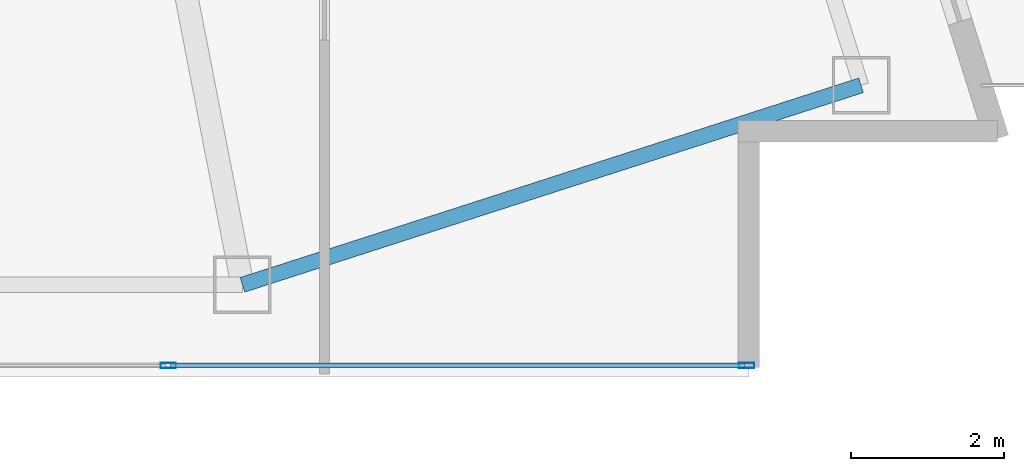
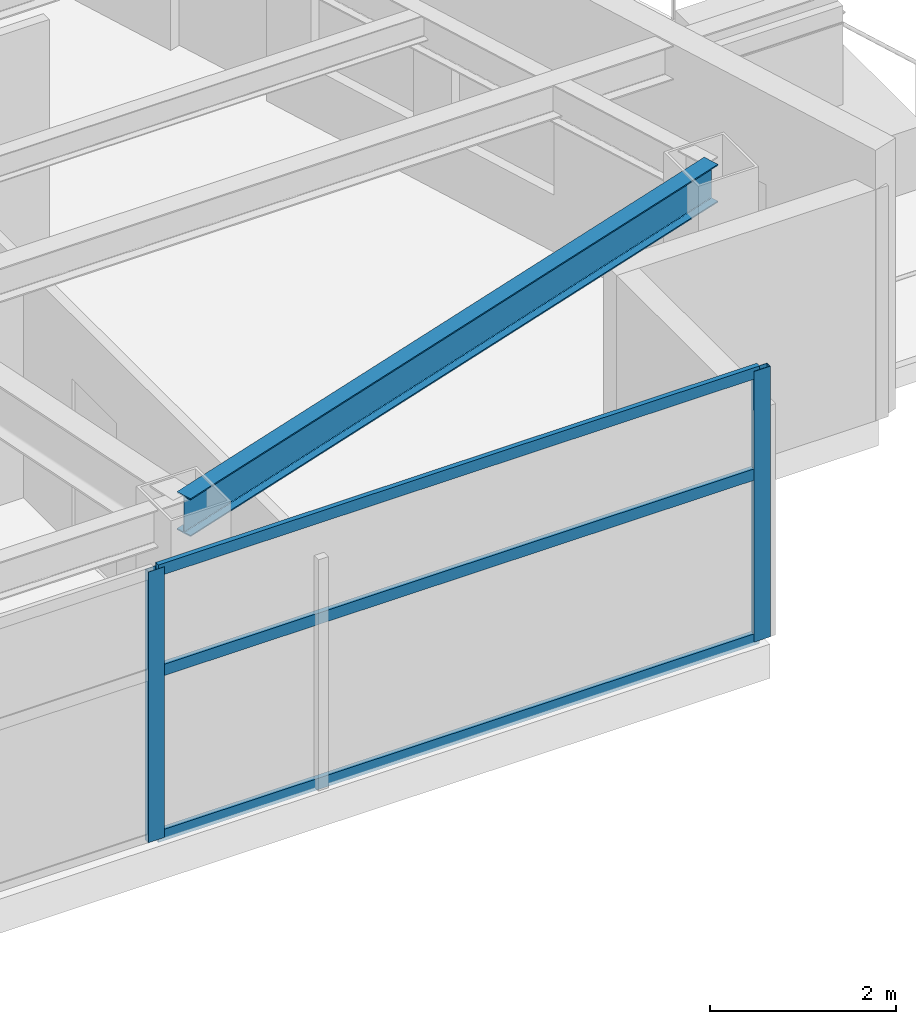
# One storey, part 14 of 28: 5 members, 1 beam, 1 element without a shape of its own.
"""IFC4 building model written with IfcOpenShell, lengths in metres."""

from ifc_helpers import new_model, si_unit, direction, frame, origin, origin_2d, place, context, subcontext, project, spatial, hollow_rectangle, i_section, extrude, material, layer, layer_set, material_profile, profile_set, type_object, element, aggregate, save


model = new_model("IFC4")

# Units and contexts
model_context = context("Model", 3, precision=1e-05, world=origin(), true_north=direction((0.0, 1.0)))
body_context = subcontext(model_context, "Body", "Model", "MODEL_VIEW")
ifc_project = project(units=[si_unit("LENGTHUNIT", "METRE"), si_unit("AREAUNIT", "SQUARE_METRE"), si_unit("VOLUMEUNIT", "CUBIC_METRE"), si_unit("PLANEANGLEUNIT", "RADIAN"), si_unit("MASSUNIT", "GRAM", prefix="KILO")], contexts=[model_context])

# Site, building, storey
site_placement = place(None, origin())
site = spatial("IfcSite", under=ifc_project, at=site_placement, CompositionType="ELEMENT")
building_placement = place(site_placement, origin())
building = spatial("IfcBuilding", under=site, at=building_placement, Name="Calvorn Quay Hotel", CompositionType="ELEMENT")
storey_placement = place(building_placement, frame((0.0, 0.0, 97.39990234375)))
storey = spatial("IfcBuildingStorey", under=building, at=storey_placement, Name="L23", CompositionType="ELEMENT", Elevation=97.39990234375)

# Beam
ifc_material_1 = material(Name="Steel Q355B", Category="steel")
ifc_material_profile_1 = material_profile(ifc_material_1, i_section(OverallWidth=0.199951171875, OverallDepth=0.5, WebThickness=0.010009765625, FlangeThickness=0.01611328125, FilletRadius=0.01611328125, at=origin_2d()), Name="HN500x200x10x16")
ifc_profile_set_1 = profile_set([ifc_material_profile_1], Name="Steel Q355B")
beam_type = type_object("IfcBeamType", Name="BM-SPANDREL-Z1", PredefinedType="SPANDREL", material=ifc_profile_set_1)
beam_placement = place(storey_placement, frame((49.39990234375, 3.60009765625, 3.2900390625), z_axis=(0.951725188386, 0.306951406237, 0.0), x_axis=(-0.306951406237, 0.951725188386, 0.0)))
element("IfcBeam", 1, at=beam_placement, inside=storey, type_object=beam_type, Name="Beam BSP-L23-S6", PredefinedType="SPANDREL", context=body_context, shape_type="SweptSolid", body=[
    extrude(i_section(OverallWidth=0.199951171875, OverallDepth=0.5, WebThickness=0.010009765625, FlangeThickness=0.01611328125, FilletRadius=0.01611328125, at=origin_2d()), origin(), (0.0, 0.0, 1.0), 8.469970703125),
])

# Curtain wall, members
ifc_material_2 = material(Name="Pale Anodised Aluminium and Low-E Glass", Category="aluminium")
ifc_layer = layer(ifc_material_2, 0.219970703125)
ifc_layer_set = layer_set([ifc_layer], Name="CW-SYS-Z2")
curtain_wall_type = type_object("IfcCurtainWallType", Name="CW-SYS-Z2", PredefinedType="NOTDEFINED", material=ifc_layer_set)
curtain_wall_placement = place(storey_placement, origin())
curtain_wall = element("IfcCurtainWall", 2, at=curtain_wall_placement, inside=storey, type_object=curtain_wall_type, Name="Tower South Waterfront Curtain Wall (L23)", PredefinedType="NOTDEFINED")
ifc_material_3 = material(Name="Pale Anodised Aluminium 6063-T6", Category="aluminium")
ifc_material_profile_2 = material_profile(ifc_material_3, hollow_rectangle(XDim=0.070068359375, YDim=0.199951171875, WallThickness=0.00390625, at=origin_2d()), Name="ALU-M200x70x4")
ifc_profile_set_2 = profile_set([ifc_material_profile_2], Name="Pale Anodised Aluminium 6063-T6")
member_type_1 = type_object("IfcMemberType", Name="CW-SYS-Z2-MUL", PredefinedType="MULLION", material=ifc_profile_set_2)
member_1_placement = place(storey_placement, frame((48.433349609375, 2.550048828125, 0.0), z_axis=(0.0, 0.0, 1.0), x_axis=(0.0, 1.0, 0.0)))
member_1 = element("IfcMember", 3, at=member_1_placement, type_object=member_type_1, Name="CW-L23-S mullion 6", PredefinedType="MULLION", context=body_context, shape_type="SweptSolid", body=[
    extrude(hollow_rectangle(XDim=0.070068359375, YDim=0.199951171875, WallThickness=0.00390625, at=origin_2d()), origin(), (0.0, 0.0, 1.0), 3.56005859375),
])
member_2_placement = place(storey_placement, frame((55.969970703125, 2.550048828125, 0.0), z_axis=(0.0, 0.0, 1.0), x_axis=(0.0, 1.0, 0.0)))
member_2 = element("IfcMember", 4, at=member_2_placement, type_object=member_type_1, Name="CW-L23-S mullion 7", PredefinedType="MULLION", context=body_context, shape_type="SweptSolid", body=[
    extrude(hollow_rectangle(XDim=0.070068359375, YDim=0.199951171875, WallThickness=0.00390625, at=origin_2d()), origin(), (0.0, 0.0, 1.0), 3.56005859375),
])
ifc_material_4 = material(Name="Pale Anodised Aluminium 6063-T6", Category="aluminium")
ifc_material_profile_3 = material_profile(ifc_material_4, hollow_rectangle(XDim=0.06005859375, YDim=0.14990234375, WallThickness=0.00341796875, at=origin_2d()), Name="ALU-T150x60x3.5")
ifc_profile_set_3 = profile_set([ifc_material_profile_3], Name="Pale Anodised Aluminium 6063-T6")
member_type_2 = type_object("IfcMemberType", Name="CW-SYS-Z2-TRN", PredefinedType="USERDEFINED", material=ifc_profile_set_3)
member_3_placement = place(storey_placement, frame((48.46337890625, 2.550048828125, 0.030029296875), z_axis=(1.0, 0.0, 0.0), x_axis=(0.0, 1.0, 0.0)))
member_3 = element("IfcMember", 5, at=member_3_placement, type_object=member_type_2, Name="CW-L23-S transom 6.1", ObjectType="TRANSOM", PredefinedType="USERDEFINED", context=body_context, shape_type="SweptSolid", body=[
    extrude(hollow_rectangle(XDim=0.06005859375, YDim=0.14990234375, WallThickness=0.00341796875, at=origin_2d()), origin(), (0.0, 0.0, 1.0), 7.4765625),
])
member_4_placement = place(storey_placement, frame((48.46337890625, 2.550048828125, 2.2001953125), z_axis=(1.0, 0.0, 0.0), x_axis=(0.0, 1.0, 0.0)))
member_4 = element("IfcMember", 6, at=member_4_placement, type_object=member_type_2, Name="CW-L23-S transom 6.2", ObjectType="TRANSOM", PredefinedType="USERDEFINED", context=body_context, shape_type="SweptSolid", body=[
    extrude(hollow_rectangle(XDim=0.06005859375, YDim=0.14990234375, WallThickness=0.00341796875, at=origin_2d()), origin(), (0.0, 0.0, 1.0), 7.4765625),
])
member_5_placement = place(storey_placement, frame((48.46337890625, 2.550048828125, 3.530029296875), z_axis=(1.0, 0.0, 0.0), x_axis=(0.0, 1.0, 0.0)))
member_5 = element("IfcMember", 7, at=member_5_placement, type_object=member_type_2, Name="CW-L23-S transom 6.3", ObjectType="TRANSOM", PredefinedType="USERDEFINED", context=body_context, shape_type="SweptSolid", body=[
    extrude(hollow_rectangle(XDim=0.06005859375, YDim=0.14990234375, WallThickness=0.00341796875, at=origin_2d()), origin(), (0.0, 0.0, 1.0), 7.4765625),
])
aggregate(curtain_wall, [member_1, member_2, member_3, member_4, member_5])

save(model, "model.ifc")
